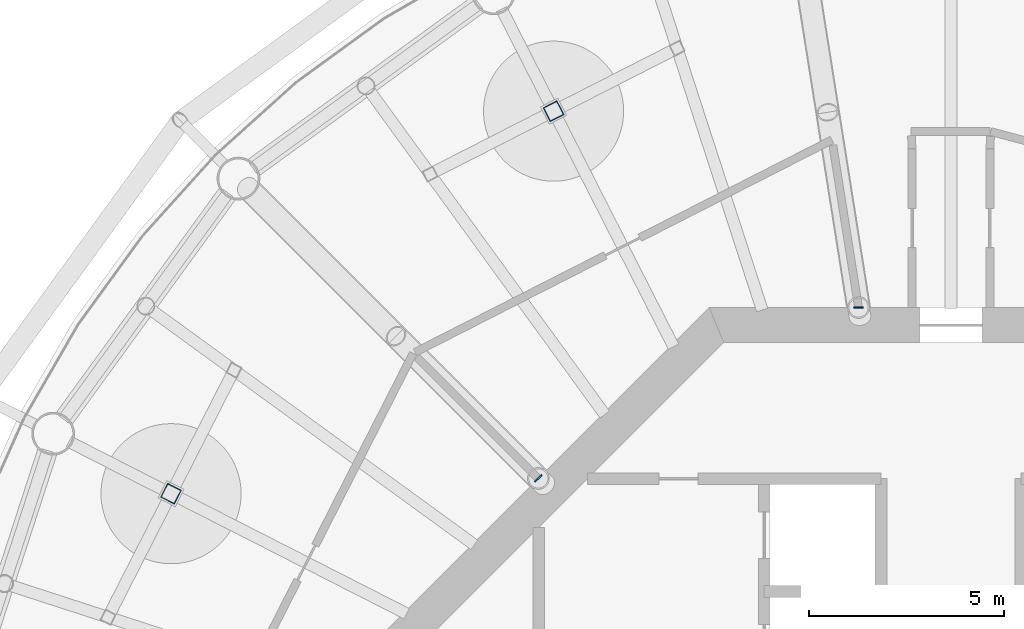
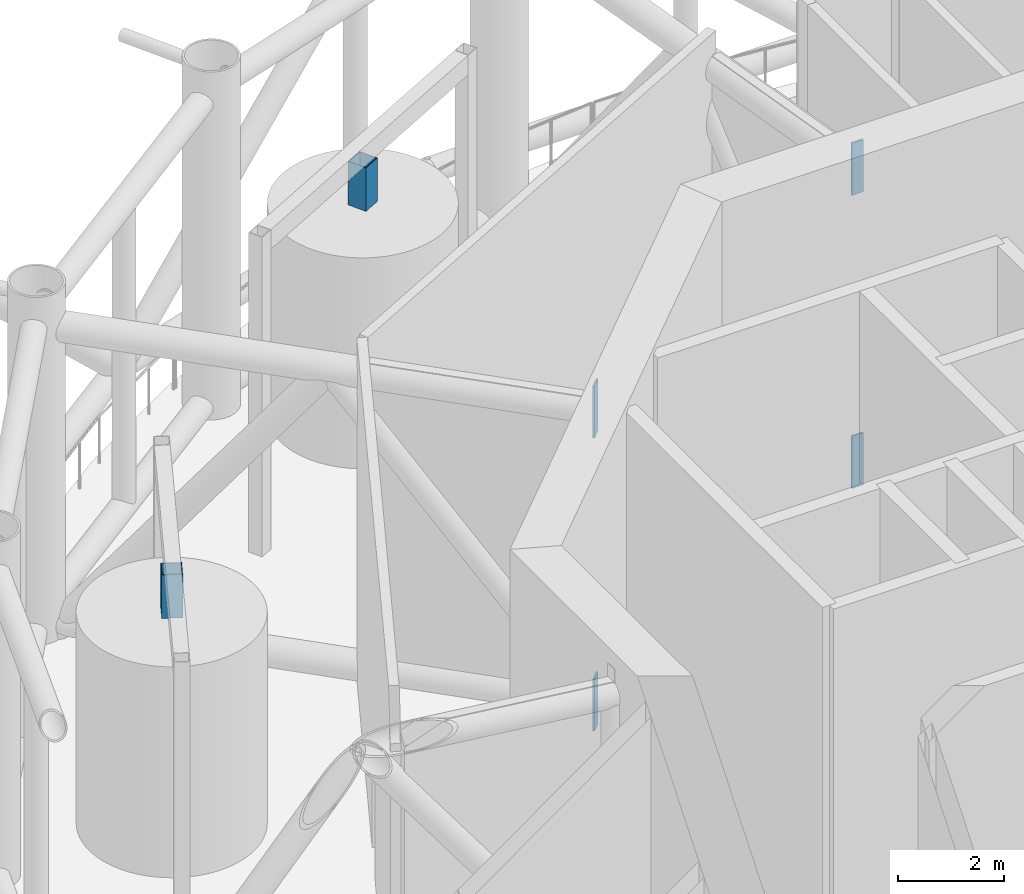
# One storey, part 17 of 22: 6 discrete accessories.
"""IFC4 building model written with IfcOpenShell, lengths in metres."""

from ifc_helpers import new_model, si_unit, direction, frame, origin, origin_2d, place, context, subcontext, project, spatial, rectangle, hollow_rectangle, extrude, material, element, save


model = new_model("IFC4")

# Units and contexts
model_context = context("Model", 3, precision=1e-05, world=origin(), true_north=direction((0.0, 1.0)))
body_context = subcontext(model_context, "Body", "Model", "MODEL_VIEW")
ifc_project = project(units=[si_unit("LENGTHUNIT", "METRE"), si_unit("AREAUNIT", "SQUARE_METRE"), si_unit("VOLUMEUNIT", "CUBIC_METRE"), si_unit("PLANEANGLEUNIT", "RADIAN"), si_unit("MASSUNIT", "GRAM", prefix="KILO")], contexts=[model_context])

# Site, building, storey
site_placement = place(None, origin())
site = spatial("IfcSite", under=ifc_project, at=site_placement, CompositionType="ELEMENT")
building_placement = place(site_placement, origin())
building = spatial("IfcBuilding", under=site, at=building_placement, Name="Entoto Ring Tower", CompositionType="ELEMENT")
storey_placement = place(building_placement, frame((0.0, 0.0, 230.0)))
storey = spatial("IfcBuildingStorey", under=building, at=storey_placement, Name="L53", CompositionType="ELEMENT", Elevation=230.0)

# Discrete accessories
ifc_material = material(Name="Steel S355", Category="steel")
for number, where, z_axis, x_axis, name in (
    (1, (87.624267578125, 95.0, -0.294921875), (0.0, 0.0, 1.0), (0.0, 1.0, 0.0), "Embedded plate L53 bottom 03"),
    (2, (87.624267578125, 95.0, 6.44482421875), (0.0, 0.0, 1.0), (0.0, 1.0, 0.0), "Embedded plate L53 top 03"),
    (3, (79.393310546875, 90.606689453125, -0.294921875), (0.0, 0.0, 1.0), (-0.707106781187, 0.707106781187, 0.0), "Embedded plate L53 bottom 04"),
    (4, (79.393310546875, 90.606689453125, 6.44482421875), (0.0, 0.0, 1.0), (-0.707106781187, 0.707106781187, 0.0), "Embedded plate L53 top 04"),
):
    element("IfcDiscreteAccessory", number, at=place(storey_placement, frame(where, z_axis=z_axis, x_axis=x_axis)), inside=storey, material=ifc_material, Name=name, PredefinedType="ANCHORPLATE", context=body_context, shape_type="SweptSolid", body=[
        extrude(rectangle(XDim=0.0400390625, YDim=0.25, at=origin_2d()), origin(), (0.0, 0.0, 1.0), 1.199951171875),
    ])
for number, where, z_axis, x_axis, name in (
    (5, (79.78515625, 100.047607421875, 5.89990234375), (0.0, 0.0, 1.0), (-0.891006524188, -0.45399049974, 0.0), "TURBINE BEARING 3"),
    (6, (69.952392578125, 90.21484375, 5.89990234375), (0.0, 0.0, 1.0), (-0.45399049974, -0.891006524188, 0.0), "TURBINE BEARING 4"),
):
    element("IfcDiscreteAccessory", number, at=place(storey_placement, frame(where, z_axis=z_axis, x_axis=x_axis)), inside=storey, material=ifc_material, Name=name, PredefinedType="BRACKET", context=body_context, shape_type="SweptSolid", body=[
        extrude(hollow_rectangle(XDim=0.39990234375, YDim=0.39990234375, WallThickness=0.01611328125, at=origin_2d()), origin(), (0.0, 0.0, 1.0), 1.0),
    ])

save(model, "model.ifc")
